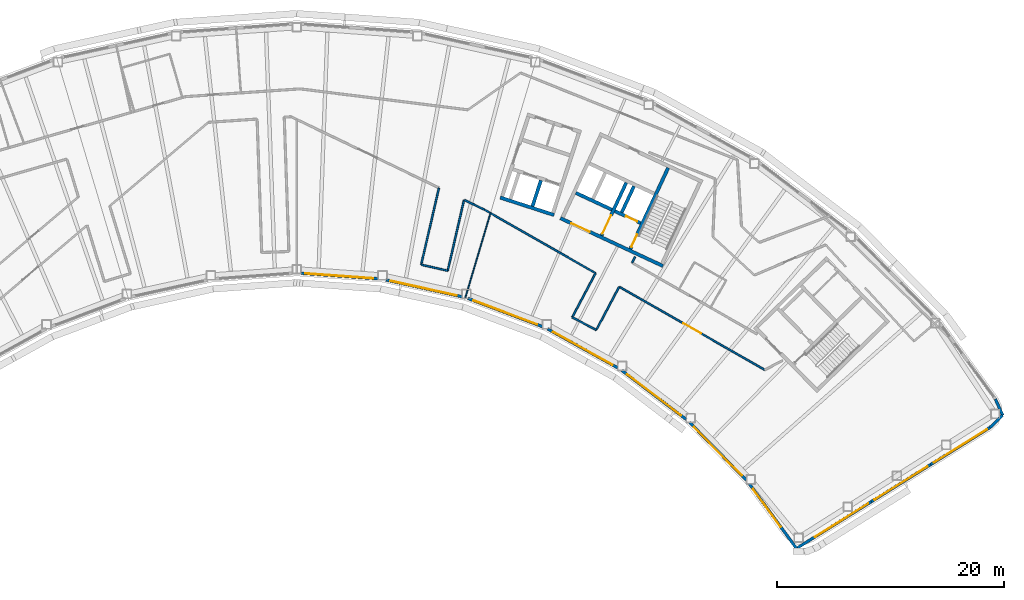
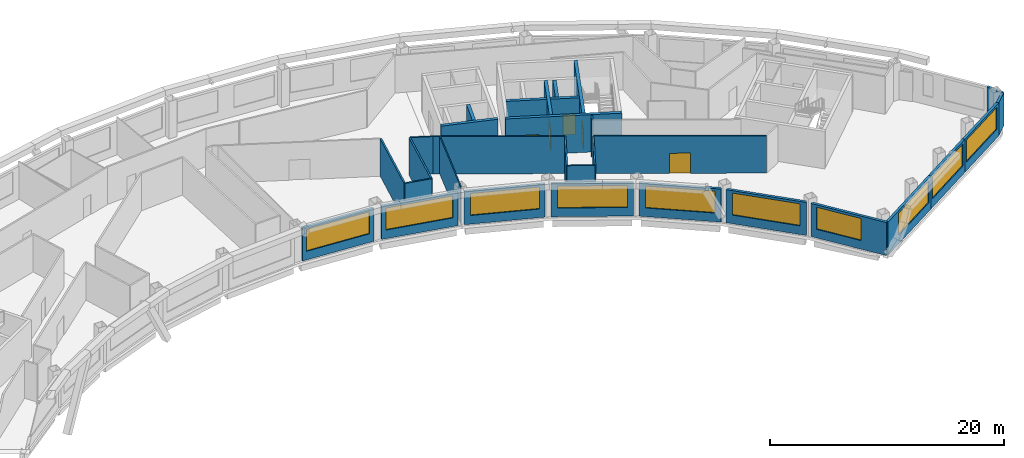
# One storey, part 7 of 15: 31 walls, 10 windows, 5 doors, 15 openings.
"""IFC4 building model written with IfcOpenShell, lengths in metres."""

import ifcopenshell
import ifcopenshell.guid

model = None  # the IFC model being written
_history = None  # IfcOwnerHistory: only IFC2X3 demands one
_inside = {}  # id of a spatial element -> (the spatial element, [elements in it])
_under = {}  # id of a project, library or spatial element -> (it, [spatial elements below it])
_declared = {}  # id of a project -> (the project, [libraries it declares])
_typed = {}  # id of a type object -> (the type object, [elements of that type])
_made_of = {}  # id of a material, layer set ... -> (it, [elements and type objects made of it])


def new_model(schema):
    """Start an empty IFC model of exactly this schema.

    Asked for "IFC4X3", IfcOpenShell would pick the latest addendum, in which some entities
    have other attributes; the version numbers below select the first issue.
    IFC2X3 requires an IfcOwnerHistory on every rooted entity: one is made here for all.
    """
    global model, _history
    if schema == "IFC4X3":
        model = ifcopenshell.file(schema_version=(4, 3, 0, 0))
    else:
        model = ifcopenshell.file(schema=schema)
    _inside.clear()
    _under.clear()
    _declared.clear()
    _typed.clear()
    _made_of.clear()
    _history = None
    if model.schema == "IFC2X3":
        org = make("IfcOrganization", Name="unknown")
        user = make(
            "IfcPersonAndOrganization",
            ThePerson=make("IfcPerson", FamilyName="unknown"),
            TheOrganization=org,
        )
        app = make(
            "IfcApplication",
            ApplicationDeveloper=org,
            Version="unknown",
            ApplicationFullName="unknown",
            ApplicationIdentifier="unknown",
        )
        _history = make(
            "IfcOwnerHistory",
            OwningUser=user,
            OwningApplication=app,
            ChangeAction="ADDED",
            CreationDate=0,
        )
    return model


def make(cls, **values):
    """One entity of the class cls with the attributes given. An attribute that is None is left unset."""
    return model.create_entity(
        cls, **{name: value for name, value in values.items() if value is not None}
    )


def rooted(cls, **values):
    """An entity with a GlobalId (a new one), such as an element, a storey or a relation."""
    return make(cls, GlobalId=ifcopenshell.guid.new(), OwnerHistory=_history, **values)


def si_unit(unit_type, name, prefix=None):
    """IfcSIUnit, for example si_unit("LENGTHUNIT", "METRE", prefix="MILLI")."""
    return make("IfcSIUnit", UnitType=unit_type, Prefix=prefix, Name=name)


def assignment(units):
    """IfcUnitAssignment: the units of a project."""
    return None if units is None else make("IfcUnitAssignment", Units=units)


def point(xyz):
    """IfcCartesianPoint."""
    return None if xyz is None else make("IfcCartesianPoint", Coordinates=xyz)


def direction(xyz):
    """IfcDirection."""
    return None if xyz is None else make("IfcDirection", DirectionRatios=xyz)


def frame(location, z_axis=None, x_axis=None):
    """IfcAxis2Placement3D, a coordinate frame: its origin and axes. An axis left out is left unset."""
    return make(
        "IfcAxis2Placement3D",
        Location=point(location),
        Axis=direction(z_axis),
        RefDirection=direction(x_axis),
    )


def frame_2d(location, x_axis=None):
    """IfcAxis2Placement2D, a coordinate frame in the plane: its origin and x axis."""
    return make(
        "IfcAxis2Placement2D", Location=point(location), RefDirection=direction(x_axis)
    )


def origin():
    """The frame at (0, 0, 0) with its axes left unset."""
    return frame((0.0, 0.0, 0.0))


def place(relative_to, where):
    """IfcLocalPlacement: puts the frame where relative to a parent placement (None: the world)."""
    return make(
        "IfcLocalPlacement", PlacementRelTo=relative_to, RelativePlacement=where
    )


def context(
    kind, dimensions, precision=None, world=None, true_north=None, identifier=None
):
    """IfcGeometricRepresentationContext, for example the 3D "Model" context."""
    return make(
        "IfcGeometricRepresentationContext",
        ContextIdentifier=identifier,
        ContextType=kind,
        CoordinateSpaceDimension=dimensions,
        Precision=precision,
        WorldCoordinateSystem=world,
        TrueNorth=true_north,
    )


def subcontext(parent, identifier, kind, view, scale=None):
    """IfcGeometricRepresentationSubContext, for example "Body" below "Model"."""
    return make(
        "IfcGeometricRepresentationSubContext",
        ContextIdentifier=identifier,
        ContextType=kind,
        ParentContext=parent,
        TargetScale=scale,
        TargetView=view,
    )


def project(units=None, contexts=None):
    """IfcProject with its units and contexts."""
    return rooted(
        "IfcProject",
        Name="project",
        RepresentationContexts=contexts,
        UnitsInContext=assignment(units),
    )


def spatial(cls, under=None, at=None, **own):
    """A site, building, storey or space (cls), placed at a placement, below another one or the project."""
    s = rooted(cls, ObjectPlacement=at, **own)
    if under is not None:
        _under.setdefault(under.id(), (under, []))[1].append(s)
    return s


def profile(cls, at=None, kind="AREA", **sizes):
    """A parametric profile (cls). Its sizes go by their IFC names, for example OverallWidth=200.0."""
    return make(cls, ProfileType=kind, Position=at, **sizes)


def rectangle(**sizes):
    """IfcRectangleProfileDef."""
    return profile("IfcRectangleProfileDef", **sizes)


def extrude(swept, where, along, depth):
    """IfcExtrudedAreaSolid: the profile swept, set in the frame where, extruded along a direction by depth."""
    return make(
        "IfcExtrudedAreaSolid",
        SweptArea=swept,
        Position=where,
        ExtrudedDirection=direction(along),
        Depth=depth,
    )


def shape(context_of_items, identifier, shape_type, items):
    """IfcShapeRepresentation: the items that make up one representation, for example the "Body"."""
    return make(
        "IfcShapeRepresentation",
        ContextOfItems=context_of_items,
        RepresentationIdentifier=identifier,
        RepresentationType=shape_type,
        Items=items,
    )


def material(Name=None, Category=None):
    """IfcMaterial."""
    return make("IfcMaterial", Name=Name, Category=Category)


def layer(
    of_material, thickness, ventilated=None, Name=None, Category=None, Priority=None
):
    """IfcMaterialLayer: one layer of a wall or slab, of a material (None: an air gap)."""
    return make(
        "IfcMaterialLayer",
        Material=of_material,
        LayerThickness=thickness,
        IsVentilated=ventilated,
        Name=Name,
        Category=Category,
        Priority=Priority,
    )


def layer_set(layers, Name=None):
    """IfcMaterialLayerSet."""
    return make("IfcMaterialLayerSet", MaterialLayers=layers, LayerSetName=Name)


def made_of(thing, what):
    """Note that an element or type object is made of a material, layer set ...; save() writes the relation."""
    if what is not None:
        _made_of.setdefault(what.id(), (what, []))[1].append(thing)
    return thing


def type_object(cls, material=None, **own):
    """A type object (cls), such as IfcWallType, which elements share."""
    return made_of(rooted(cls, **own), material)


def element(
    cls,
    number,
    at=None,
    inside=None,
    cuts=None,
    type_object=None,
    material=None,
    context=None,
    identifier="Body",
    shape_type=None,
    held_by="IfcProductDefinitionShape",
    body=None,
    shapes=None,
    **own,
):
    """One element of the class cls, such as IfcWall. Its Tag is "e" and its number.

    at: its placement. inside: the storey or other place that contains it. cuts: it is an
    opening in that element (IfcRelVoidsElement). A single representation is given by context,
    identifier, shape_type and body (its items); several are given by shapes. held_by: the class
    of the entity that holds the representations. save() writes the other relations.
    """
    e = rooted(cls, Tag="e%d" % number, ObjectPlacement=at, **own)
    if body is not None:
        shapes = [shape(context, identifier, shape_type, body)]
    if shapes is not None:
        e.Representation = make(held_by, Representations=shapes)
    if inside is not None:
        _inside.setdefault(inside.id(), (inside, []))[1].append(e)
    if cuts is not None:
        rooted(
            "IfcRelVoidsElement", RelatingBuildingElement=cuts, RelatedOpeningElement=e
        )
    if type_object is not None:
        _typed.setdefault(type_object.id(), (type_object, []))[1].append(e)
    return made_of(e, material)


def fill(opening, filler):
    """IfcRelFillsElement: the door or window that sits in an opening."""
    return rooted(
        "IfcRelFillsElement",
        RelatingOpeningElement=opening,
        RelatedBuildingElement=filler,
    )


def aggregate(whole, parts):
    """IfcRelAggregates: a whole, such as a stair, and the parts it consists of."""
    return rooted("IfcRelAggregates", RelatingObject=whole, RelatedObjects=parts)


def save(model, path):
    """Write the relations noted so far, then the file.

    IfcRelAggregates (storeys below a building ...), IfcRelContainedInSpatialStructure (elements
    in a storey), IfcRelDefinesByType, IfcRelAssociatesMaterial and IfcRelDeclares: one each for
    every whole, place, type object, material and project.
    """
    for whole, parts in _under.values():
        aggregate(whole, parts)
    for where, things in _inside.values():
        rooted(
            "IfcRelContainedInSpatialStructure",
            RelatedElements=things,
            RelatingStructure=where,
        )
    for kind, things in _typed.values():
        rooted("IfcRelDefinesByType", RelatedObjects=things, RelatingType=kind)
    for what, things in _made_of.values():
        rooted("IfcRelAssociatesMaterial", RelatedObjects=things, RelatingMaterial=what)
    for by, libraries in _declared.values():
        rooted("IfcRelDeclares", RelatingContext=by, RelatedDefinitions=libraries)
    model.write(path)


model = new_model("IFC4")

# Units and contexts
model_context = context("Model", 3, precision=1e-05, world=origin(), true_north=direction((0.0, 1.0)))
body_context = subcontext(model_context, "Body", "Model", "MODEL_VIEW")
ifc_project = project(units=[si_unit("LENGTHUNIT", "METRE"), si_unit("AREAUNIT", "SQUARE_METRE"), si_unit("VOLUMEUNIT", "CUBIC_METRE"), si_unit("PLANEANGLEUNIT", "RADIAN"), si_unit("MASSUNIT", "GRAM", prefix="KILO")], contexts=[model_context])

# Site, building, storey
site_placement = place(None, origin())
site = spatial("IfcSite", under=ifc_project, at=site_placement, CompositionType="ELEMENT")
building_placement = place(site_placement, origin())
building = spatial("IfcBuilding", under=site, at=building_placement, Name="Tuul Gate Civic Tower", CompositionType="ELEMENT")
storey_placement = place(building_placement, frame((0.0, 0.0, 332.300048828125)))
storey = spatial("IfcBuildingStorey", under=building, at=storey_placement, Name="Level 75", CompositionType="ELEMENT", Elevation=332.300048828125)

# Wall, opening, door
ifc_material_1 = material(Name="Concrete C50/60", Category="concrete")
ifc_layer_1 = layer(ifc_material_1, 0.300048828125)
ifc_layer_set_1 = layer_set([ifc_layer_1], Name="Concrete C50/60")
wall_type_1 = type_object("IfcWallType", Name="Core wall C50/60", PredefinedType="SHEAR", material=ifc_layer_set_1)
wall_1_placement = place(storey_placement, frame((34.5283203125, -7.25, 0.0), z_axis=(0.0, 0.0, 1.0), x_axis=(-0.906310338845, 0.422612789327, 0.0)))
wall_1 = element("IfcWall", 1, at=wall_1_placement, inside=storey, type_object=wall_type_1, Name="Core wall", PredefinedType="SHEAR", context=body_context, shape_type="SweptSolid", body=[
    extrude(rectangle(XDim=9.999755859375, YDim=0.300048828125, at=frame_2d((5.0, 0.0))), origin(), (0.0, 0.0, 1.0), 3.89990234375),
])
opening_1_placement = place(wall_1_placement, frame((7.125, 0.0, 0.0)))
opening_1 = element("IfcOpeningElement", 2, at=opening_1_placement, cuts=wall_1, Name="Opening LB-E3-LOBBY-1", PredefinedType="OPENING", context=body_context, shape_type="SweptSolid", body=[
    extrude(rectangle(XDim=1.800048828125, YDim=2.10009765625, at=frame_2d((0.89990234375, 1.050048828125))), frame((0.0, 0.16015625, 0.0), z_axis=(0.0, -1.0, 0.0), x_axis=(1.0, 0.0, 0.0)), (0.0, 0.0, 1.0), 0.320068359375),
])
ifc_material_2 = material(Name="Steel", Category="steel")
door_type_1 = type_object("IfcDoorType", Name="Lobby door", OperationType="DOUBLE_DOOR_SINGLE_SWING", PredefinedType="DOOR", material=ifc_material_2)
door_1_placement = place(opening_1_placement, frame((1.800048828125, 0.0, 0.0), z_axis=(0.0, 0.0, 1.0), x_axis=(-1.0, 0.0, 0.0)))
door_1 = element("IfcDoor", 3, at=door_1_placement, inside=storey, type_object=door_type_1, Name="Lobby door E3-LOBBY", OperationType="DOUBLE_DOOR_SINGLE_SWING", OverallHeight=2.10009765625, OverallWidth=1.800048828125, PredefinedType="DOOR", context=body_context, shape_type="SweptSolid", body=[
    extrude(rectangle(XDim=1.800048828125, YDim=2.10009765625, at=frame_2d((0.900146484375, 1.050048828125))), frame((0.0, 0.02490234375, 0.0), z_axis=(0.0, -1.0, 0.0), x_axis=(1.0, 0.0, 0.0)), (0.0, 0.0, 1.0), 0.050048828125),
])
fill(opening_1, door_1)

wall_2_placement = place(storey_placement, frame((32.545654296875, -3.456787109375, 0.0), z_axis=(0.0, 0.0, 1.0), x_axis=(-0.906300357825, 0.42263419337, 0.0)))
wall_2 = element("IfcWall", 4, at=wall_2_placement, inside=storey, type_object=wall_type_1, Name="Core wall", PredefinedType="SHEAR", context=body_context, shape_type="SweptSolid", body=[
    extrude(rectangle(XDim=2.500244140625, YDim=0.300048828125, at=frame_2d((1.25, 0.0))), origin(), (0.0, 0.0, 1.0), 3.89990234375),
])
opening_2_placement = place(wall_2_placement, frame((0.324951171875, 0.0, 0.0)))
opening_2 = element("IfcOpeningElement", 5, at=opening_2_placement, cuts=wall_2, Name="Opening LD-FF-2", PredefinedType="OPENING", context=body_context, shape_type="SweptSolid", body=[
    extrude(rectangle(XDim=1.10009765625, YDim=2.10009765625, at=frame_2d((0.550048828125, 1.050048828125))), frame((0.0, 0.16015625, 0.0), z_axis=(0.0, -1.0, 0.0), x_axis=(1.0, 0.0, 0.0)), (0.0, 0.0, 1.0), 0.320068359375),
])
ifc_material_3 = material(Name="Stainless steel", Category="steel")
door_type_2 = type_object("IfcDoorType", Name="Landing door", OperationType="DOUBLE_DOOR_SLIDING", PredefinedType="DOOR", material=ifc_material_3)
door_2_placement = place(opening_2_placement, origin())
door_2 = element("IfcDoor", 6, at=door_2_placement, inside=storey, type_object=door_type_2, Name="Fire-fighting lift FF-2 landing door", OperationType="DOUBLE_DOOR_SLIDING", OverallHeight=2.10009765625, OverallWidth=1.10009765625, PredefinedType="DOOR", context=body_context, shape_type="SweptSolid", body=[
    extrude(rectangle(XDim=1.10009765625, YDim=2.10009765625, at=frame_2d((0.550048828125, 1.050048828125))), frame((0.0, 0.02490234375, 0.0), z_axis=(0.0, -1.0, 0.0), x_axis=(1.0, 0.0, 0.0)), (0.0, 0.0, 1.0), 0.050048828125),
])
fill(opening_2, door_2)

# Wall
wall_3_placement = place(storey_placement, frame((30.0078125, -2.2734375, 0.0), z_axis=(0.0, 0.0, 1.0), x_axis=(-0.90630071767, 0.422633421716, 0.0)))
element("IfcWall", 7, at=wall_3_placement, inside=storey, type_object=wall_type_1, Name="Core wall", PredefinedType="SHEAR", context=body_context, shape_type="SweptSolid", body=[
    extrude(rectangle(XDim=3.5, YDim=0.300048828125, at=frame_2d((1.75, 0.0))), origin(), (0.0, 0.0, 1.0), 3.89990234375),
])

# Wall, opening, door
wall_4_placement = place(storey_placement, frame((31.646240234375, -5.740478515625, 0.0), z_axis=(0.0, 0.0, 1.0), x_axis=(0.422582604137, 0.906324413596, 0.0)))
wall_4 = element("IfcWall", 8, at=wall_4_placement, inside=storey, type_object=wall_type_1, Name="Core wall", PredefinedType="SHEAR", context=body_context, shape_type="SweptSolid", body=[
    extrude(rectangle(XDim=7.89990234375, YDim=0.300048828125, at=frame_2d((3.949951171875, 0.0))), origin(), (0.0, 0.0, 1.0), 3.89990234375),
])
opening_3_placement = place(wall_4_placement, frame((0.199951171875, 0.0, 0.0)))
opening_3 = element("IfcOpeningElement", 9, at=opening_3_placement, cuts=wall_4, Name="Opening SD-ST-4", PredefinedType="OPENING", context=body_context, shape_type="SweptSolid", body=[
    extrude(rectangle(XDim=1.199951171875, YDim=2.10009765625, at=frame_2d((0.60009765625, 1.050048828125))), frame((0.0, 0.16015625, 0.0), z_axis=(0.0, -1.0, 0.0), x_axis=(1.0, 0.0, 0.0)), (0.0, 0.0, 1.0), 0.320068359375),
])
ifc_material_4 = material(Name="Steel", Category="steel")
door_type_3 = type_object("IfcDoorType", Name="Stair door", OperationType="NOTDEFINED", PredefinedType="DOOR", material=ifc_material_4)
door_3_placement = place(opening_3_placement, origin())
door_3 = element("IfcDoor", 10, at=door_3_placement, inside=storey, type_object=door_type_3, Name="Stair door ST-4", OperationType="SINGLE_SWING_LEFT", OverallHeight=2.10009765625, OverallWidth=1.199951171875, PredefinedType="DOOR", context=body_context, shape_type="SweptSolid", body=[
    extrude(rectangle(XDim=1.199951171875, YDim=2.10009765625, at=frame_2d((0.60009765625, 1.050048828125))), frame((0.0, 0.02490234375, 0.0), z_axis=(0.0, -1.0, 0.0), x_axis=(1.0, 0.0, 0.0)), (0.0, 0.0, 1.0), 0.050048828125),
])
fill(opening_3, door_3)

# Wall
wall_5_placement = place(storey_placement, frame((30.886962890625, -2.517822265625, 0.0), z_axis=(0.0, 0.0, 1.0), x_axis=(0.422612891016, 0.906310291427, 0.0)))
element("IfcWall", 11, at=wall_5_placement, inside=storey, type_object=wall_type_1, Name="Core wall", PredefinedType="SHEAR", context=body_context, shape_type="SweptSolid", body=[
    extrude(rectangle(XDim=2.550048828125, YDim=0.300048828125, at=frame_2d((1.27490234375, 0.0))), origin(), (0.0, 0.0, 1.0), 3.89990234375),
])

# Wall, opening, door
wall_6_placement = place(storey_placement, frame((29.108642578125, -4.557373046875, 0.0), z_axis=(0.0, 0.0, 1.0), x_axis=(0.422566235356, 0.90633204552, 0.0)))
wall_6 = element("IfcWall", 12, at=wall_6_placement, inside=storey, type_object=wall_type_1, Name="Core wall", PredefinedType="SHEAR", context=body_context, shape_type="SweptSolid", body=[
    extrude(rectangle(XDim=5.150146484375, YDim=0.300048828125, at=frame_2d((2.5751953125, 0.0))), origin(), (0.0, 0.0, 1.0), 3.89990234375),
])
opening_4_placement = place(wall_6_placement, frame((0.175048828125, 0.0, 0.0)))
opening_4 = element("IfcOpeningElement", 13, at=opening_4_placement, cuts=wall_6, Name="Opening LB-E3-FLOBBY-1", PredefinedType="OPENING", context=body_context, shape_type="SweptSolid", body=[
    extrude(rectangle(XDim=1.800048828125, YDim=2.10009765625, at=frame_2d((0.89990234375, 1.050048828125))), frame((0.0, 0.16015625, 0.0), z_axis=(0.0, -1.0, 0.0), x_axis=(1.0, 0.0, 0.0)), (0.0, 0.0, 1.0), 0.320068359375),
])
door_4_placement = place(opening_4_placement, frame((1.800048828125, 0.0, 0.0), z_axis=(0.0, 0.0, 1.0), x_axis=(-1.0, 0.0, 0.0)))
door_4 = element("IfcDoor", 14, at=door_4_placement, inside=storey, type_object=door_type_1, Name="Lobby door E3-FLOBBY", OperationType="DOUBLE_DOOR_SINGLE_SWING", OverallHeight=2.10009765625, OverallWidth=1.800048828125, PredefinedType="DOOR", context=body_context, shape_type="SweptSolid", body=[
    extrude(rectangle(XDim=1.800048828125, YDim=2.10009765625, at=frame_2d((0.900146484375, 1.050048828125))), frame((0.0, 0.02490234375, 0.0), z_axis=(0.0, -1.0, 0.0), x_axis=(1.0, 0.0, 0.0)), (0.0, 0.0, 1.0), 0.050048828125),
])
fill(opening_4, door_4)

# Wall
ifc_material_5 = material(Name="Gypsum board partition")
ifc_layer_2 = layer(ifc_material_5, 0.14990234375)
ifc_layer_set_2 = layer_set([ifc_layer_2], Name="Gypsum board partition")
wall_type_2 = type_object("IfcWallType", Name="Corridor wall P150", PredefinedType="PARTITIONING", material=ifc_layer_set_2)
wall_7_placement = place(storey_placement, frame((18.767333984375, -2.275146484375, 0.0), z_axis=(0.0, 0.0, 1.0), x_axis=(0.868271101011, -0.496090007104, 0.0)))
element("IfcWall", 15, at=wall_7_placement, inside=storey, type_object=wall_type_2, Name="p036", PredefinedType="PARTITIONING", context=body_context, shape_type="SweptSolid", body=[
    extrude(rectangle(XDim=11.283935546875, YDim=0.14990234375, at=frame_2d((5.64208984375, 0.0))), origin(), (0.0, 0.0, 1.0), 3.89990234375),
])

# Wall, opening, door
wall_8_placement = place(storey_placement, frame((30.680908203125, -9.082275390625, 0.0), z_axis=(0.0, 0.0, 1.0), x_axis=(0.86827465365, -0.496083789121, 0.0)))
wall_8 = element("IfcWall", 16, at=wall_8_placement, inside=storey, type_object=wall_type_2, Name="p037", PredefinedType="PARTITIONING", context=body_context, shape_type="SweptSolid", body=[
    extrude(rectangle(XDim=14.779296875, YDim=0.14990234375, at=frame_2d((7.3896484375, 0.0))), origin(), (0.0, 0.0, 1.0), 3.89990234375),
])
opening_5_placement = place(wall_8_placement, frame((6.489501953125, 0.0, 0.0)))
opening_5 = element("IfcOpeningElement", 17, at=opening_5_placement, cuts=wall_8, Name="Opening AB-D06", PredefinedType="OPENING", context=body_context, shape_type="SweptSolid", body=[
    extrude(rectangle(XDim=1.800048828125, YDim=2.10009765625, at=frame_2d((0.89990234375, 1.050048828125))), frame((0.0, 0.0849609375, 0.0), z_axis=(0.0, -1.0, 0.0), x_axis=(1.0, 0.0, 0.0)), (0.0, 0.0, 1.0), 0.169921875),
])
ifc_material_6 = material(Name="Timber door leaf, double", Category="wood")
door_type_4 = type_object("IfcDoorType", Name="Door D18", OperationType="DOUBLE_DOOR_SINGLE_SWING", PredefinedType="DOOR", material=ifc_material_6)
door_5_placement = place(opening_5_placement, frame((1.800048828125, 0.0, 0.0), z_axis=(0.0, 0.0, 1.0), x_axis=(-1.0, 0.0, 0.0)))
door_5 = element("IfcDoor", 18, at=door_5_placement, inside=storey, type_object=door_type_4, Name="Door AB-D06", OperationType="DOUBLE_DOOR_SINGLE_SWING", OverallHeight=2.10009765625, OverallWidth=1.800048828125, PredefinedType="DOOR", context=body_context, shape_type="SweptSolid", body=[
    extrude(rectangle(XDim=1.800048828125, YDim=2.10009765625, at=frame_2d((0.900146484375, 1.050048828125))), frame((0.0, 0.02490234375, 0.0), z_axis=(0.0, -1.0, 0.0), x_axis=(1.0, 0.0, 0.0)), (0.0, 0.0, 1.0), 0.050048828125),
])
fill(opening_5, door_5)

# Walls
wall_9_placement = place(storey_placement, frame((26.513916015625, -11.77197265625, 0.0), z_axis=(0.0, 0.0, 1.0), x_axis=(0.469431997452, 0.882968628983, 0.0)))
element("IfcWall", 19, at=wall_9_placement, inside=storey, type_object=wall_type_2, Name="p038", PredefinedType="PARTITIONING", context=body_context, shape_type="SweptSolid", body=[
    extrude(rectangle(XDim=4.38525390625, YDim=0.14990234375, at=frame_2d((2.192626953125, 0.0))), origin(), (0.0, 0.0, 1.0), 3.89990234375),
])
wall_10_placement = place(storey_placement, frame((26.513916015625, -11.77197265625, 0.0), z_axis=(0.0, 0.0, 1.0), x_axis=(0.882935201215, -0.469494867336, 0.0)))
element("IfcWall", 20, at=wall_10_placement, inside=storey, type_object=wall_type_2, Name="p039", PredefinedType="PARTITIONING", context=body_context, shape_type="SweptSolid", body=[
    extrude(rectangle(XDim=2.39990234375, YDim=0.14990234375, at=frame_2d((1.199951171875, 0.0))), origin(), (0.0, 0.0, 1.0), 3.89990234375),
])
wall_11_placement = place(storey_placement, frame((28.6328125, -12.898681640625, 0.0), z_axis=(0.0, 0.0, 1.0), x_axis=(0.469497456334, 0.882933824528, 0.0)))
element("IfcWall", 21, at=wall_11_placement, inside=storey, type_object=wall_type_2, Name="p040", PredefinedType="PARTITIONING", context=body_context, shape_type="SweptSolid", body=[
    extrude(rectangle(XDim=4.311279296875, YDim=0.14990234375, at=frame_2d((2.15576171875, 0.0))), origin(), (0.0, 0.0, 1.0), 3.89990234375),
])
wall_12_placement = place(storey_placement, frame((31.793701171875, -6.953857421875, 0.0), z_axis=(0.0, 0.0, 1.0), x_axis=(0.469661180167, 0.882846745389, 0.0)))
element("IfcWall", 22, at=wall_12_placement, inside=storey, type_object=wall_type_2, Name="p041", PredefinedType="PARTITIONING", context=body_context, shape_type="SweptSolid", body=[
    extrude(rectangle(XDim=0.587890625, YDim=0.14990234375, at=frame_2d((0.2939453125, 0.0))), origin(), (0.0, 0.0, 1.0), 3.89990234375),
])
wall_13_placement = place(storey_placement, frame((16.989013671875, -1.42041015625, 0.0), z_axis=(0.0, 0.0, 1.0), x_axis=(0.901277528971, -0.433242213747, 0.0)))
element("IfcWall", 23, at=wall_13_placement, inside=storey, type_object=wall_type_2, Name="p045", PredefinedType="PARTITIONING", context=body_context, shape_type="SweptSolid", body=[
    extrude(rectangle(XDim=1.9716796875, YDim=0.14990234375, at=frame_2d((0.98583984375, 0.0))), origin(), (0.0, 0.0, 1.0), 3.89990234375),
])
wall_14_placement = place(storey_placement, frame((13.183349609375, -7.127685546875, 0.0), z_axis=(0.0, 0.0, 1.0), x_axis=(0.224946783253, 0.974371050834, 0.0)))
element("IfcWall", 24, at=wall_14_placement, inside=storey, type_object=wall_type_2, Name="p046", PredefinedType="PARTITIONING", context=body_context, shape_type="SweptSolid", body=[
    extrude(rectangle(XDim=6.946044921875, YDim=0.14990234375, at=frame_2d((3.47314453125, 0.0))), origin(), (0.0, 0.0, 1.0), 3.89990234375),
])
wall_15_placement = place(storey_placement, frame((13.18359375, -7.12841796875, 0.0), z_axis=(0.0, 0.0, 1.0), x_axis=(0.974382619436, -0.224896667254, 0.0)))
element("IfcWall", 25, at=wall_15_placement, inside=storey, type_object=wall_type_2, Name="p047", PredefinedType="PARTITIONING", context=body_context, shape_type="SweptSolid", body=[
    extrude(rectangle(XDim=2.399169921875, YDim=0.14990234375, at=frame_2d((1.19970703125, 0.0))), origin(), (0.0, 0.0, 1.0), 3.89990234375),
])
wall_16_placement = place(storey_placement, frame((15.521728515625, -7.66748046875, 0.0), z_axis=(0.0, 0.0, 1.0), x_axis=(0.224968204235, 0.974366105262, 0.0)))
element("IfcWall", 26, at=wall_16_placement, inside=storey, type_object=wall_type_2, Name="p048", PredefinedType="PARTITIONING", context=body_context, shape_type="SweptSolid", body=[
    extrude(rectangle(XDim=6.3974609375, YDim=0.14990234375, at=frame_2d((3.19873046875, 0.0))), origin(), (0.0, 0.0, 1.0), 3.89990234375),
])
ifc_material_7 = material(Name="Precast concrete C40/50", Category="concrete")
ifc_layer_3 = layer(ifc_material_7, 0.25)
ifc_layer_set_3 = layer_set([ifc_layer_3], Name="Precast concrete C40/50")
wall_type_3 = type_object("IfcWallType", Name="External wall", PredefinedType="STANDARD", material=ifc_layer_set_3)
wall_17_placement = place(storey_placement, frame((63.382568359375, -21.513671875, 0.0), z_axis=(0.0, 0.0, 1.0), x_axis=(0.722162740816, 0.691723193031, 0.0)))
element("IfcWall", 27, at=wall_17_placement, inside=storey, type_object=wall_type_3, Name="External wall", PredefinedType="STANDARD", context=body_context, shape_type="SweptSolid", body=[
    extrude(rectangle(XDim=1.572021484375, YDim=0.25, at=frame_2d((0.7861328125, 0.0))), origin(), (0.0, 0.0, 1.0), 3.449951171875),
])
wall_18_placement = place(storey_placement, frame((64.517822265625, -20.42626953125, 0.0), z_axis=(0.0, 0.0, 1.0), x_axis=(-0.413463423134, 0.910520728886, 0.0)))
element("IfcWall", 28, at=wall_18_placement, inside=storey, type_object=wall_type_3, Name="External wall", PredefinedType="STANDARD", context=body_context, shape_type="SweptSolid", body=[
    extrude(rectangle(XDim=1.5712890625, YDim=0.25, at=frame_2d((0.78564453125, 0.0))), origin(), (0.0, 0.0, 1.0), 3.449951171875),
])

# Wall, opening, window
wall_19_placement = place(storey_placement, frame((2.592041015625, -7.882568359375, 0.0), z_axis=(0.0, 0.0, 1.0), x_axis=(0.997384795983, -0.072274260578, 0.0)))
wall_19 = element("IfcWall", 29, at=wall_19_placement, inside=storey, type_object=wall_type_3, Name="External wall", PredefinedType="STANDARD", context=body_context, shape_type="SweptSolid", body=[
    extrude(rectangle(XDim=6.789794921875, YDim=0.25, at=frame_2d((3.39501953125, 0.0))), origin(), (0.0, 0.0, 1.0), 3.449951171875),
])
opening_6_placement = place(wall_19_placement, frame((0.371337890625, 0.0, 0.89990234375)))
opening_6 = element("IfcOpeningElement", 30, at=opening_6_placement, cuts=wall_19, Name="Opening W26", PredefinedType="OPENING", context=body_context, shape_type="SweptSolid", body=[
    extrude(rectangle(XDim=6.0, YDim=2.300048828125, at=frame_2d((3.0, 1.14990234375))), frame((0.0, 0.135009765625, 0.0), z_axis=(0.0, -1.0, 0.0), x_axis=(1.0, 0.0, 0.0)), (0.0, 0.0, 1.0), 0.27001953125),
])
ifc_material_8 = material(Name="Glass", Category="glass")
window_type_1 = type_object("IfcWindowType", Name="Window W26 6000 x 2300", PartitioningType="SINGLE_PANEL", PredefinedType="WINDOW", material=ifc_material_8)
window_1_placement = place(opening_6_placement, origin())
window_1 = element("IfcWindow", 31, at=window_1_placement, inside=storey, type_object=window_type_1, Name="Window", OverallHeight=2.300048828125, OverallWidth=6.0, PartitioningType="SINGLE_PANEL", PredefinedType="WINDOW", context=body_context, shape_type="SweptSolid", body=[
    extrude(rectangle(XDim=6.0, YDim=2.300048828125, at=frame_2d((3.0, 1.14990234375))), frame((0.0, 0.030029296875, 0.0), z_axis=(0.0, -1.0, 0.0), x_axis=(1.0, 0.0, 0.0)), (0.0, 0.0, 1.0), 0.06005859375),
])
fill(opening_6, window_1)

wall_20_placement = place(storey_placement, frame((10.071044921875, -8.47705078125, 0.0), z_axis=(0.0, 0.0, 1.0), x_axis=(0.976561146318, -0.215240162382, 0.0)))
wall_20 = element("IfcWall", 32, at=wall_20_placement, inside=storey, type_object=wall_type_3, Name="External wall", PredefinedType="STANDARD", context=body_context, shape_type="SweptSolid", body=[
    extrude(rectangle(XDim=6.867919921875, YDim=0.25, at=frame_2d((3.43408203125, 0.0))), origin(), (0.0, 0.0, 1.0), 3.449951171875),
])
opening_7_placement = place(wall_20_placement, frame((0.409912109375, 0.0, 0.89990234375)))
opening_7 = element("IfcOpeningElement", 33, at=opening_7_placement, cuts=wall_20, Name="Opening W26", PredefinedType="OPENING", context=body_context, shape_type="SweptSolid", body=[
    extrude(rectangle(XDim=6.0, YDim=2.300048828125, at=frame_2d((3.0, 1.14990234375))), frame((0.0, 0.135009765625, 0.0), z_axis=(0.0, -1.0, 0.0), x_axis=(1.0, 0.0, 0.0)), (0.0, 0.0, 1.0), 0.27001953125),
])
window_2_placement = place(opening_7_placement, origin())
window_2 = element("IfcWindow", 34, at=window_2_placement, inside=storey, type_object=window_type_1, Name="Window", OverallHeight=2.300048828125, OverallWidth=6.0, PartitioningType="SINGLE_PANEL", PredefinedType="WINDOW", context=body_context, shape_type="SweptSolid", body=[
    extrude(rectangle(XDim=6.0, YDim=2.300048828125, at=frame_2d((3.0, 1.14990234375))), frame((0.0, 0.030029296875, 0.0), z_axis=(0.0, -1.0, 0.0), x_axis=(1.0, 0.0, 0.0)), (0.0, 0.0, 1.0), 0.06005859375),
])
fill(opening_7, window_2)

wall_21_placement = place(storey_placement, frame((17.315185546875, -10.110107421875, 0.0), z_axis=(0.0, 0.0, 1.0), x_axis=(0.93536342071, -0.353688098751, 0.0)))
wall_21 = element("IfcWall", 35, at=wall_21_placement, inside=storey, type_object=wall_type_3, Name="External wall", PredefinedType="STANDARD", context=body_context, shape_type="SweptSolid", body=[
    extrude(rectangle(XDim=7.017333984375, YDim=0.25, at=frame_2d((3.5087890625, 0.0))), origin(), (0.0, 0.0, 1.0), 3.449951171875),
])
opening_8_placement = place(wall_21_placement, frame((0.52587890625, 0.0, 0.89990234375)))
opening_8 = element("IfcOpeningElement", 36, at=opening_8_placement, cuts=wall_21, Name="Opening W26", PredefinedType="OPENING", context=body_context, shape_type="SweptSolid", body=[
    extrude(rectangle(XDim=6.0, YDim=2.300048828125, at=frame_2d((3.0, 1.14990234375))), frame((0.0, 0.135009765625, 0.0), z_axis=(0.0, -1.0, 0.0), x_axis=(1.0, 0.0, 0.0)), (0.0, 0.0, 1.0), 0.27001953125),
])
window_3_placement = place(opening_8_placement, origin())
window_3 = element("IfcWindow", 37, at=window_3_placement, inside=storey, type_object=window_type_1, Name="Window", OverallHeight=2.300048828125, OverallWidth=6.0, PartitioningType="SINGLE_PANEL", PredefinedType="WINDOW", context=body_context, shape_type="SweptSolid", body=[
    extrude(rectangle(XDim=6.0, YDim=2.300048828125, at=frame_2d((3.0, 1.14990234375))), frame((0.0, 0.030029296875, 0.0), z_axis=(0.0, -1.0, 0.0), x_axis=(1.0, 0.0, 0.0)), (0.0, 0.0, 1.0), 0.06005859375),
])
fill(opening_8, window_3)

wall_22_placement = place(storey_placement, frame((24.33056640625, -12.7958984375, 0.0), z_axis=(0.0, 0.0, 1.0), x_axis=(0.874614232828, -0.484819496034, 0.0)))
wall_22 = element("IfcWall", 38, at=wall_22_placement, inside=storey, type_object=wall_type_3, Name="External wall", PredefinedType="STANDARD", context=body_context, shape_type="SweptSolid", body=[
    extrude(rectangle(XDim=7.07568359375, YDim=0.25, at=frame_2d((3.537841796875, 0.0))), origin(), (0.0, 0.0, 1.0), 3.449951171875),
])
opening_9_placement = place(wall_22_placement, frame((0.556396484375, 0.0, 0.89990234375)))
opening_9 = element("IfcOpeningElement", 39, at=opening_9_placement, cuts=wall_22, Name="Opening W26", PredefinedType="OPENING", context=body_context, shape_type="SweptSolid", body=[
    extrude(rectangle(XDim=6.0, YDim=2.300048828125, at=frame_2d((3.0, 1.14990234375))), frame((0.0, 0.135009765625, 0.0), z_axis=(0.0, -1.0, 0.0), x_axis=(1.0, 0.0, 0.0)), (0.0, 0.0, 1.0), 0.27001953125),
])
window_4_placement = place(opening_9_placement, origin())
window_4 = element("IfcWindow", 40, at=window_4_placement, inside=storey, type_object=window_type_1, Name="Window", OverallHeight=2.300048828125, OverallWidth=6.0, PartitioningType="SINGLE_PANEL", PredefinedType="WINDOW", context=body_context, shape_type="SweptSolid", body=[
    extrude(rectangle(XDim=6.0, YDim=2.300048828125, at=frame_2d((3.0, 1.14990234375))), frame((0.0, 0.030029296875, 0.0), z_axis=(0.0, -1.0, 0.0), x_axis=(1.0, 0.0, 0.0)), (0.0, 0.0, 1.0), 0.06005859375),
])
fill(opening_9, window_4)

wall_23_placement = place(storey_placement, frame((30.9072265625, -16.47607421875, 0.0), z_axis=(0.0, 0.0, 1.0), x_axis=(0.795582375141, -0.605845429433, 0.0)))
wall_23 = element("IfcWall", 41, at=wall_23_placement, inside=storey, type_object=wall_type_3, Name="External wall", PredefinedType="STANDARD", context=body_context, shape_type="SweptSolid", body=[
    extrude(rectangle(XDim=7.10400390625, YDim=0.25, at=frame_2d((3.552001953125, 0.0))), origin(), (0.0, 0.0, 1.0), 3.449951171875),
])
opening_10_placement = place(wall_23_placement, frame((0.562744140625, 0.0, 0.89990234375)))
opening_10 = element("IfcOpeningElement", 42, at=opening_10_placement, cuts=wall_23, Name="Opening W26", PredefinedType="OPENING", context=body_context, shape_type="SweptSolid", body=[
    extrude(rectangle(XDim=6.0, YDim=2.300048828125, at=frame_2d((3.0, 1.14990234375))), frame((0.0, 0.135009765625, 0.0), z_axis=(0.0, -1.0, 0.0), x_axis=(1.0, 0.0, 0.0)), (0.0, 0.0, 1.0), 0.27001953125),
])
window_5_placement = place(opening_10_placement, origin())
window_5 = element("IfcWindow", 43, at=window_5_placement, inside=storey, type_object=window_type_1, Name="Window", OverallHeight=2.300048828125, OverallWidth=6.0, PartitioningType="SINGLE_PANEL", PredefinedType="WINDOW", context=body_context, shape_type="SweptSolid", body=[
    extrude(rectangle(XDim=6.0, YDim=2.300048828125, at=frame_2d((3.0, 1.14990234375))), frame((0.0, 0.030029296875, 0.0), z_axis=(0.0, -1.0, 0.0), x_axis=(1.0, 0.0, 0.0)), (0.0, 0.0, 1.0), 0.06005859375),
])
fill(opening_10, window_5)

wall_24_placement = place(storey_placement, frame((36.894775390625, -21.074951171875, 0.0), z_axis=(0.0, 0.0, 1.0), x_axis=(0.700102647984, -0.714042213238, 0.0)))
wall_24 = element("IfcWall", 44, at=wall_24_placement, inside=storey, type_object=wall_type_3, Name="External wall", PredefinedType="STANDARD", context=body_context, shape_type="SweptSolid", body=[
    extrude(rectangle(XDim=7.11083984375, YDim=0.25, at=frame_2d((3.555419921875, 0.0))), origin(), (0.0, 0.0, 1.0), 3.449951171875),
])
opening_11_placement = place(wall_24_placement, frame((0.55517578125, 0.0, 0.89990234375)))
opening_11 = element("IfcOpeningElement", 45, at=opening_11_placement, cuts=wall_24, Name="Opening W26", PredefinedType="OPENING", context=body_context, shape_type="SweptSolid", body=[
    extrude(rectangle(XDim=6.0, YDim=2.300048828125, at=frame_2d((3.0, 1.14990234375))), frame((0.0, 0.135009765625, 0.0), z_axis=(0.0, -1.0, 0.0), x_axis=(1.0, 0.0, 0.0)), (0.0, 0.0, 1.0), 0.27001953125),
])
window_6_placement = place(opening_11_placement, origin())
window_6 = element("IfcWindow", 46, at=window_6_placement, inside=storey, type_object=window_type_1, Name="Window", OverallHeight=2.300048828125, OverallWidth=6.0, PartitioningType="SINGLE_PANEL", PredefinedType="WINDOW", context=body_context, shape_type="SweptSolid", body=[
    extrude(rectangle(XDim=6.0, YDim=2.300048828125, at=frame_2d((3.0, 1.14990234375))), frame((0.0, 0.030029296875, 0.0), z_axis=(0.0, -1.0, 0.0), x_axis=(1.0, 0.0, 0.0)), (0.0, 0.0, 1.0), 0.06005859375),
])
fill(opening_11, window_6)

wall_25_placement = place(storey_placement, frame((42.163330078125, -26.4970703125, 0.0), z_axis=(0.0, 0.0, 1.0), x_axis=(0.589749390831, -0.8075863149, 0.0)))
wall_25 = element("IfcWall", 47, at=wall_25_placement, inside=storey, type_object=wall_type_3, Name="External wall", PredefinedType="STANDARD", context=body_context, shape_type="SweptSolid", body=[
    extrude(rectangle(XDim=7.033935546875, YDim=0.25, at=frame_2d((3.51708984375, 0.0))), origin(), (0.0, 0.0, 1.0), 3.449951171875),
])
opening_12_placement = place(wall_25_placement, frame((0.5263671875, 0.0, 0.89990234375)))
opening_12 = element("IfcOpeningElement", 48, at=opening_12_placement, cuts=wall_25, Name="Opening W25", PredefinedType="OPENING", context=body_context, shape_type="SweptSolid", body=[
    extrude(rectangle(XDim=4.14990234375, YDim=2.300048828125, at=frame_2d((2.074951171875, 1.14990234375))), frame((0.0, 0.135009765625, 0.0), z_axis=(0.0, -1.0, 0.0), x_axis=(1.0, 0.0, 0.0)), (0.0, 0.0, 1.0), 0.27001953125),
])
ifc_material_9 = material(Name="Glass", Category="glass")
window_type_2 = type_object("IfcWindowType", Name="Window W25 4150 x 2300", PartitioningType="SINGLE_PANEL", PredefinedType="WINDOW", material=ifc_material_9)
window_7_placement = place(opening_12_placement, origin())
window_7 = element("IfcWindow", 49, at=window_7_placement, inside=storey, type_object=window_type_2, Name="Window", OverallHeight=2.300048828125, OverallWidth=4.14990234375, PartitioningType="SINGLE_PANEL", PredefinedType="WINDOW", context=body_context, shape_type="SweptSolid", body=[
    extrude(rectangle(XDim=4.14990234375, YDim=2.300048828125, at=frame_2d((2.074951171875, 1.14990234375))), frame((0.0, 0.030029296875, 0.0), z_axis=(0.0, -1.0, 0.0), x_axis=(1.0, 0.0, 0.0)), (0.0, 0.0, 1.0), 0.06005859375),
])
fill(opening_12, window_7)

wall_26_placement = place(storey_placement, frame((46.3115234375, -32.177490234375, 0.0), z_axis=(0.0, 0.0, 1.0), x_axis=(0.848061701049, 0.529897491233, 0.0)))
wall_26 = element("IfcWall", 50, at=wall_26_placement, inside=storey, type_object=wall_type_3, Name="External wall", PredefinedType="STANDARD", context=body_context, shape_type="SweptSolid", body=[
    extrude(rectangle(XDim=7.787841796875, YDim=0.25, at=frame_2d((3.89404296875, 0.0))), origin(), (0.0, 0.0, 1.0), 3.449951171875),
])
opening_13_placement = place(wall_26_placement, frame((1.92138671875, 0.0, 0.89990234375)))
opening_13 = element("IfcOpeningElement", 51, at=opening_13_placement, cuts=wall_26, Name="Opening W24", PredefinedType="OPENING", context=body_context, shape_type="SweptSolid", body=[
    extrude(rectangle(XDim=5.550048828125, YDim=2.300048828125, at=frame_2d((2.77490234375, 1.14990234375))), frame((0.0, 0.135009765625, 0.0), z_axis=(0.0, -1.0, 0.0), x_axis=(1.0, 0.0, 0.0)), (0.0, 0.0, 1.0), 0.27001953125),
])
ifc_material_10 = material(Name="Glass", Category="glass")
window_type_3 = type_object("IfcWindowType", Name="Window W24 5550 x 2300", PartitioningType="SINGLE_PANEL", PredefinedType="WINDOW", material=ifc_material_10)
window_8_placement = place(opening_13_placement, origin())
window_8 = element("IfcWindow", 52, at=window_8_placement, inside=storey, type_object=window_type_3, Name="Window", OverallHeight=2.300048828125, OverallWidth=5.550048828125, PartitioningType="SINGLE_PANEL", PredefinedType="WINDOW", context=body_context, shape_type="SweptSolid", body=[
    extrude(rectangle(XDim=5.550048828125, YDim=2.300048828125, at=frame_2d((2.77490234375, 1.14990234375))), frame((0.0, 0.030029296875, 0.0), z_axis=(0.0, -1.0, 0.0), x_axis=(1.0, 0.0, 0.0)), (0.0, 0.0, 1.0), 0.06005859375),
])
fill(opening_13, window_8)

wall_27_placement = place(storey_placement, frame((52.916015625, -28.05078125, 0.0), z_axis=(0.0, 0.0, 1.0), x_axis=(0.848053758074, 0.529910203164, 0.0)))
wall_27 = element("IfcWall", 53, at=wall_27_placement, inside=storey, type_object=wall_type_3, Name="External wall", PredefinedType="STANDARD", context=body_context, shape_type="SweptSolid", body=[
    extrude(rectangle(XDim=6.182861328125, YDim=0.25, at=frame_2d((3.09130859375, 0.0))), origin(), (0.0, 0.0, 1.0), 3.449951171875),
])
opening_14_placement = place(wall_27_placement, frame((0.31640625, 0.0, 0.89990234375)))
opening_14 = element("IfcOpeningElement", 54, at=opening_14_placement, cuts=wall_27, Name="Opening W24", PredefinedType="OPENING", context=body_context, shape_type="SweptSolid", body=[
    extrude(rectangle(XDim=5.550048828125, YDim=2.300048828125, at=frame_2d((2.77490234375, 1.14990234375))), frame((0.0, 0.135009765625, 0.0), z_axis=(0.0, -1.0, 0.0), x_axis=(1.0, 0.0, 0.0)), (0.0, 0.0, 1.0), 0.27001953125),
])
window_9_placement = place(opening_14_placement, origin())
window_9 = element("IfcWindow", 55, at=window_9_placement, inside=storey, type_object=window_type_3, Name="Window", OverallHeight=2.300048828125, OverallWidth=5.550048828125, PartitioningType="SINGLE_PANEL", PredefinedType="WINDOW", context=body_context, shape_type="SweptSolid", body=[
    extrude(rectangle(XDim=5.550048828125, YDim=2.300048828125, at=frame_2d((2.77490234375, 1.14990234375))), frame((0.0, 0.030029296875, 0.0), z_axis=(0.0, -1.0, 0.0), x_axis=(1.0, 0.0, 0.0)), (0.0, 0.0, 1.0), 0.06005859375),
])
fill(opening_14, window_9)

wall_28_placement = place(storey_placement, frame((58.159423828125, -24.7744140625, 0.0), z_axis=(0.0, 0.0, 1.0), x_axis=(0.848053758074, 0.529910203164, 0.0)))
wall_28 = element("IfcWall", 56, at=wall_28_placement, inside=storey, type_object=wall_type_3, Name="External wall", PredefinedType="STANDARD", context=body_context, shape_type="SweptSolid", body=[
    extrude(rectangle(XDim=6.182861328125, YDim=0.25, at=frame_2d((3.09130859375, 0.0))), origin(), (0.0, 0.0, 1.0), 3.449951171875),
])
opening_15_placement = place(wall_28_placement, frame((0.31640625, 0.0, 0.89990234375)))
opening_15 = element("IfcOpeningElement", 57, at=opening_15_placement, cuts=wall_28, Name="Opening W24", PredefinedType="OPENING", context=body_context, shape_type="SweptSolid", body=[
    extrude(rectangle(XDim=5.550048828125, YDim=2.300048828125, at=frame_2d((2.77490234375, 1.14990234375))), frame((0.0, 0.135009765625, 0.0), z_axis=(0.0, -1.0, 0.0), x_axis=(1.0, 0.0, 0.0)), (0.0, 0.0, 1.0), 0.27001953125),
])
window_10_placement = place(opening_15_placement, origin())
window_10 = element("IfcWindow", 58, at=window_10_placement, inside=storey, type_object=window_type_3, Name="Window", OverallHeight=2.300048828125, OverallWidth=5.550048828125, PartitioningType="SINGLE_PANEL", PredefinedType="WINDOW", context=body_context, shape_type="SweptSolid", body=[
    extrude(rectangle(XDim=5.550048828125, YDim=2.300048828125, at=frame_2d((2.77490234375, 1.14990234375))), frame((0.0, 0.030029296875, 0.0), z_axis=(0.0, -1.0, 0.0), x_axis=(1.0, 0.0, 0.0)), (0.0, 0.0, 1.0), 0.06005859375),
])
fill(opening_15, window_10)

# Walls
ifc_material_11 = material(Name="Concrete C40/50", Category="concrete")
ifc_layer_4 = layer(ifc_material_11, 0.300048828125)
ifc_layer_set_4 = layer_set([ifc_layer_4], Name="Concrete C40/50")
wall_type_4 = type_object("IfcWallType", Name="Lift shaft wall C40/50", PredefinedType="STANDARD", material=ifc_layer_set_4)
wall_29_placement = place(storey_placement, frame((24.911376953125, -2.746337890625, 0.0), z_axis=(0.0, 0.0, 1.0), x_axis=(-0.951067792613, 0.308982287281, 0.0)))
element("IfcWall", 59, at=wall_29_placement, inside=storey, type_object=wall_type_4, Name="Shaft wall", PredefinedType="STANDARD", context=body_context, shape_type="SweptSolid", body=[
    extrude(rectangle(XDim=5.0, YDim=0.300048828125, at=frame_2d((2.5, 0.0))), origin(), (0.0, 0.0, 1.0), 3.89990234375),
])
wall_30_placement = place(storey_placement, frame((23.008056640625, -1.97021484375, 0.0), z_axis=(0.0, 0.0, 1.0), x_axis=(0.309138975195, 0.951016873675, 0.0)))
element("IfcWall", 60, at=wall_30_placement, inside=storey, type_object=wall_type_4, Name="Shaft wall", PredefinedType="STANDARD", context=body_context, shape_type="SweptSolid", body=[
    extrude(rectangle(XDim=2.400146484375, YDim=0.300048828125, at=frame_2d((1.2001953125, 0.0))), origin(), (0.0, 0.0, 1.0), 3.89990234375),
])
ifc_material_12 = material(Name="Gypsum board partition")
ifc_layer_5 = layer(ifc_material_12, 0.10009765625)
ifc_layer_set_5 = layer_set([ifc_layer_5], Name="Gypsum board partition")
wall_type_5 = type_object("IfcWallType", Name="Partition P100", PredefinedType="PARTITIONING", material=ifc_layer_set_5)
wall_31_placement = place(storey_placement, frame((17.083251953125, -10.027587890625, 0.0), z_axis=(0.0, 0.0, 1.0), x_axis=(0.28523160592, 0.958458622469, 0.0)))
element("IfcWall", 61, at=wall_31_placement, inside=storey, type_object=wall_type_5, Name="p033", PredefinedType="PARTITIONING", context=body_context, shape_type="SweptSolid", body=[
    extrude(rectangle(XDim=7.77099609375, YDim=0.10009765625, at=frame_2d((3.885498046875, 0.0))), origin(), (0.0, 0.0, 1.0), 3.89990234375),
])

save(model, "model.ifc")
